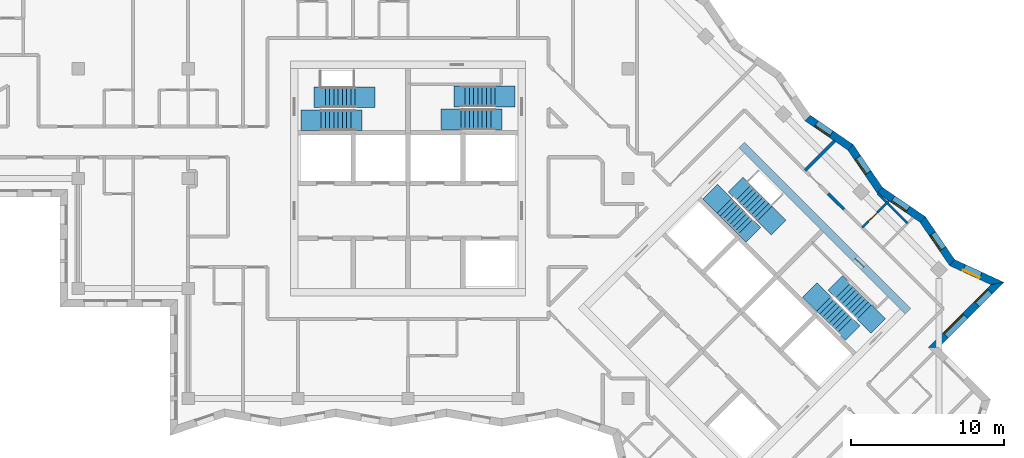
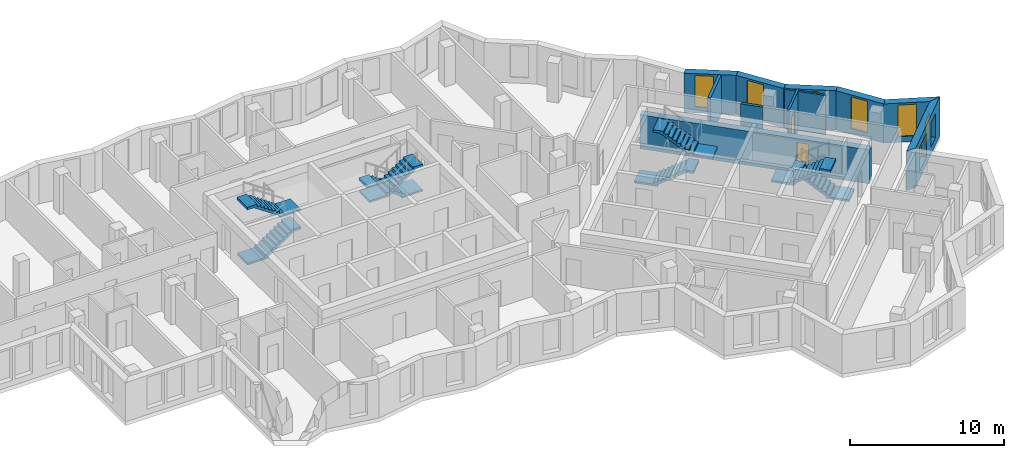
# One storey, part 9 of 12: 11 walls, 8 stair flights, 7 windows, 2 doors, 9 openings, 4 elements without a shape of their own.
"""IFC4 building model written with IfcOpenShell, lengths in metres."""

from ifc_helpers import new_model, si_unit, direction, frame, frame_2d, origin, place, context, subcontext, project, spatial, polyline, rectangle, outline, extrude, material, layer, layer_set, type_object, element, fill, aggregate, save


model = new_model("IFC4")

# Units and contexts
model_context = context("Model", 3, precision=1e-05, world=origin(), true_north=direction((0.0, 1.0)))
body_context = subcontext(model_context, "Body", "Model", "MODEL_VIEW")
ifc_project = project(units=[si_unit("LENGTHUNIT", "METRE"), si_unit("AREAUNIT", "SQUARE_METRE"), si_unit("VOLUMEUNIT", "CUBIC_METRE"), si_unit("PLANEANGLEUNIT", "RADIAN"), si_unit("MASSUNIT", "GRAM", prefix="KILO")], contexts=[model_context])

# Site, building, storey
site_placement = place(None, origin())
site = spatial("IfcSite", under=ifc_project, at=site_placement, CompositionType="ELEMENT")
building_placement = place(site_placement, origin())
building = spatial("IfcBuilding", under=site, at=building_placement, Name="Windrow Commons", CompositionType="ELEMENT")
storey_placement = place(building_placement, frame((0.0, 0.0, 227.0)))
storey = spatial("IfcBuildingStorey", under=building, at=storey_placement, Name="L62", CompositionType="ELEMENT", Elevation=227.0)

# Wall, openings, windows
ifc_material_1 = material(Name="Brick masonry, red clay brick", Category="masonry")
ifc_layer_1 = layer(ifc_material_1, 0.5)
ifc_layer_set_1 = layer_set([ifc_layer_1], Name="Brick facade wall 500")
wall_type_1 = type_object("IfcWallType", Name="Brick facade wall 500", PredefinedType="SOLIDWALL", material=ifc_layer_set_1)
wall_1_placement = place(storey_placement, frame((99.2111, 46.5442, 0.0), z_axis=(0.0, 0.0, 1.0), x_axis=(0.7071067812, 0.7071067812, 0.0)))
wall_1 = element("IfcWall", 1, at=wall_1_placement, inside=storey, type_object=wall_type_1, Name="Brick facade wall L62 6", PredefinedType="SOLIDWALL", context=body_context, shape_type="SweptSolid", body=[
    extrude(outline(polyline([(0.25, -0.25), (6.28, -0.25), (5.5631, 0.25), (-0.25, 0.25), (0.25, -0.25)])), origin(), (0.0, 0.0, 1.0), 3.1),
])
opening_1_placement = place(wall_1_placement, frame((1.125, 0.0, 0.6)))
opening_1 = element("IfcOpeningElement", 2, at=opening_1_placement, cuts=wall_1, Name="Opening W1L", PredefinedType="OPENING", context=body_context, shape_type="SweptSolid", body=[
    extrude(rectangle(XDim=1.8, YDim=1.9, at=frame_2d((0.9, 0.95))), frame((0.0, 0.26, 0.0), z_axis=(0.0, -1.0, 0.0), x_axis=(1.0, 0.0, 0.0)), (0.0, 0.0, 1.0), 0.52),
])
opening_2_placement = place(wall_1_placement, frame((4.0065, 0.0, 0.6)))
opening_2 = element("IfcOpeningElement", 3, at=opening_2_placement, cuts=wall_1, Name="Opening W7G", PredefinedType="OPENING", context=body_context, shape_type="SweptSolid", body=[
    extrude(rectangle(XDim=1.2, YDim=1.9, at=frame_2d((0.6, 0.95))), frame((0.0, 0.26, 0.0), z_axis=(0.0, -1.0, 0.0), x_axis=(1.0, 0.0, 0.0)), (0.0, 0.0, 1.0), 0.52),
])
ifc_material_2 = material(Name="Clear float glass in anodised aluminium frame", Category="aluminium")
window_type_1 = type_object("IfcWindowType", Name="Window W1L bedroom 1800x1900", PartitioningType="SINGLE_PANEL", PredefinedType="WINDOW", material=ifc_material_2)
window_1_placement = place(opening_1_placement, origin())
window_1 = element("IfcWindow", 4, at=window_1_placement, inside=storey, type_object=window_type_1, Name="Window L62 6.1", OverallHeight=1.9, OverallWidth=1.8, PartitioningType="SINGLE_PANEL", PredefinedType="WINDOW", context=body_context, shape_type="SweptSolid", body=[
    extrude(rectangle(XDim=1.8, YDim=1.9, at=frame_2d((0.9, 0.95))), frame((0.0, 0.18, 0.0), z_axis=(0.0, -1.0, 0.0), x_axis=(1.0, 0.0, 0.0)), (0.0, 0.0, 1.0), 0.06),
])
fill(opening_1, window_1)
ifc_material_3 = material(Name="Clear float glass in anodised aluminium frame", Category="aluminium")
window_type_2 = type_object("IfcWindowType", Name="Window W7 notch 1200x1900", PartitioningType="SINGLE_PANEL", PredefinedType="WINDOW", material=ifc_material_3)
window_2_placement = place(opening_2_placement, origin())
window_2 = element("IfcWindow", 5, at=window_2_placement, inside=storey, type_object=window_type_2, Name="Window L62 6.2", OverallHeight=1.9, OverallWidth=1.2, PartitioningType="SINGLE_PANEL", PredefinedType="WINDOW", context=body_context, shape_type="SweptSolid", body=[
    extrude(rectangle(XDim=1.2, YDim=1.9, at=frame_2d((0.6, 0.95))), frame((0.0, 0.18, 0.0), z_axis=(0.0, -1.0, 0.0), x_axis=(1.0, 0.0, 0.0)), (0.0, 0.0, 1.0), 0.06),
])
fill(opening_2, window_2)

# Wall, opening, window
wall_2_placement = place(storey_placement, frame((103.3983, 50.7314, 0.0), z_axis=(0.0, 0.0, 1.0), x_axis=(-0.9078591394, 0.4192753069, 0.0)))
wall_2 = element("IfcWall", 6, at=wall_2_placement, inside=storey, type_object=wall_type_1, Name="Brick facade wall L62 7", PredefinedType="SOLIDWALL", context=body_context, shape_type="SweptSolid", body=[
    extrude(outline(polyline([(-0.3584, -0.25), (3.2019, -0.25), (3.34, 0.25), (0.3584, 0.25), (-0.3584, -0.25)])), origin(), (0.0, 0.0, 1.0), 3.1),
])
opening_3_placement = place(wall_2_placement, frame((1.2147, 0.0, 0.45)))
opening_3 = element("IfcOpeningElement", 7, at=opening_3_placement, cuts=wall_2, Name="Opening W7E", PredefinedType="OPENING", context=body_context, shape_type="SweptSolid", body=[
    extrude(rectangle(XDim=1.2, YDim=2.5, at=frame_2d((0.6, 1.25))), frame((0.0, 0.26, 0.0), z_axis=(0.0, -1.0, 0.0), x_axis=(1.0, 0.0, 0.0)), (0.0, 0.0, 1.0), 0.52),
])
ifc_material_4 = material(Name="Clear float glass in anodised aluminium frame", Category="aluminium")
window_type_3 = type_object("IfcWindowType", Name="Window W7 notch 1200x2500", PartitioningType="SINGLE_PANEL", PredefinedType="WINDOW", material=ifc_material_4)
window_3_placement = place(opening_3_placement, origin())
window_3 = element("IfcWindow", 8, at=window_3_placement, inside=storey, type_object=window_type_3, Name="Window L62 7.1", OverallHeight=2.5, OverallWidth=1.2, PartitioningType="SINGLE_PANEL", PredefinedType="WINDOW", context=body_context, shape_type="SweptSolid", body=[
    extrude(rectangle(XDim=1.2, YDim=2.5, at=frame_2d((0.6, 1.25))), frame((0.0, 0.18, 0.0), z_axis=(0.0, -1.0, 0.0), x_axis=(1.0, 0.0, 0.0)), (0.0, 0.0, 1.0), 0.06),
])
fill(opening_3, window_3)

wall_3_placement = place(storey_placement, frame((100.4288, 52.1028, 0.0), z_axis=(0.0, 0.0, 1.0), x_axis=(-0.563838178, 0.8258852881, 0.0)))
wall_3 = element("IfcWall", 9, at=wall_3_placement, inside=storey, type_object=wall_type_1, Name="Brick facade wall L62 8", PredefinedType="SOLIDWALL", context=body_context, shape_type="SweptSolid", body=[
    extrude(outline(polyline([(0.0691, -0.25), (3.469, -0.25), (3.3747, 0.25), (-0.0691, 0.25), (0.0691, -0.25)])), origin(), (0.0, 0.0, 1.0), 3.1),
])
opening_4_placement = place(wall_3_placement, frame((1.0874, 0.0, 0.45)))
opening_4 = element("IfcOpeningElement", 10, at=opening_4_placement, cuts=wall_3, Name="Opening W7E", PredefinedType="OPENING", context=body_context, shape_type="SweptSolid", body=[
    extrude(rectangle(XDim=1.2, YDim=2.5, at=frame_2d((0.6, 1.25))), frame((0.0, 0.26, 0.0), z_axis=(0.0, -1.0, 0.0), x_axis=(1.0, 0.0, 0.0)), (0.0, 0.0, 1.0), 0.52),
])
window_4_placement = place(opening_4_placement, origin())
window_4 = element("IfcWindow", 11, at=window_4_placement, inside=storey, type_object=window_type_3, Name="Window L62 8.1", OverallHeight=2.5, OverallWidth=1.2, PartitioningType="SINGLE_PANEL", PredefinedType="WINDOW", context=body_context, shape_type="SweptSolid", body=[
    extrude(rectangle(XDim=1.2, YDim=2.5, at=frame_2d((0.6, 1.25))), frame((0.0, 0.18, 0.0), z_axis=(0.0, -1.0, 0.0), x_axis=(1.0, 0.0, 0.0)), (0.0, 0.0, 1.0), 0.06),
])
fill(opening_4, window_4)

wall_4_placement = place(storey_placement, frame((98.4994, 54.9289, 0.0), z_axis=(0.0, 0.0, 1.0), x_axis=(-0.8258911763, 0.5638295531, 0.0)))
wall_4 = element("IfcWall", 12, at=wall_4_placement, inside=storey, type_object=wall_type_1, Name="Brick facade wall L62 9", PredefinedType="SOLIDWALL", context=body_context, shape_type="SweptSolid", body=[
    extrude(outline(polyline([(-0.0471, -0.25), (3.3528, -0.25), (3.4471, 0.25), (0.0471, 0.25), (-0.0471, -0.25)])), origin(), (0.0, 0.0, 1.0), 3.1),
])
opening_5_placement = place(wall_4_placement, frame((1.1635, 0.0, 0.45)))
opening_5 = element("IfcOpeningElement", 13, at=opening_5_placement, cuts=wall_4, Name="Opening W7E", PredefinedType="OPENING", context=body_context, shape_type="SweptSolid", body=[
    extrude(rectangle(XDim=1.2, YDim=2.5, at=frame_2d((0.6, 1.25))), frame((0.0, 0.26, 0.0), z_axis=(0.0, -1.0, 0.0), x_axis=(1.0, 0.0, 0.0)), (0.0, 0.0, 1.0), 0.52),
])
window_5_placement = place(opening_5_placement, origin())
window_5 = element("IfcWindow", 14, at=window_5_placement, inside=storey, type_object=window_type_3, Name="Window L62 9.1", OverallHeight=2.5, OverallWidth=1.2, PartitioningType="SINGLE_PANEL", PredefinedType="WINDOW", context=body_context, shape_type="SweptSolid", body=[
    extrude(rectangle(XDim=1.2, YDim=2.5, at=frame_2d((0.6, 1.25))), frame((0.0, 0.18, 0.0), z_axis=(0.0, -1.0, 0.0), x_axis=(1.0, 0.0, 0.0)), (0.0, 0.0, 1.0), 0.06),
])
fill(opening_5, window_5)

wall_5_placement = place(storey_placement, frame((95.6914, 56.8459, 0.0), z_axis=(0.0, 0.0, 1.0), x_axis=(-0.5638295531, 0.8258911763, 0.0)))
wall_5 = element("IfcWall", 15, at=wall_5_placement, inside=storey, type_object=wall_type_1, Name="Brick facade wall L62 10", PredefinedType="SOLIDWALL", context=body_context, shape_type="SweptSolid", body=[
    extrude(outline(polyline([(0.0471, -0.25), (3.4471, -0.25), (3.3528, 0.25), (-0.0471, 0.25), (0.0471, -0.25)])), origin(), (0.0, 0.0, 1.0), 3.1),
])
opening_6_placement = place(wall_5_placement, frame((1.3716, 0.0, 0.45)))
opening_6 = element("IfcOpeningElement", 16, at=opening_6_placement, cuts=wall_5, Name="Opening W7E", PredefinedType="OPENING", context=body_context, shape_type="SweptSolid", body=[
    extrude(rectangle(XDim=1.2, YDim=2.5, at=frame_2d((0.6, 1.25))), frame((0.0, 0.26, 0.0), z_axis=(0.0, -1.0, 0.0), x_axis=(1.0, 0.0, 0.0)), (0.0, 0.0, 1.0), 0.52),
])
window_6_placement = place(opening_6_placement, origin())
window_6 = element("IfcWindow", 17, at=window_6_placement, inside=storey, type_object=window_type_3, Name="Window L62 10.1", OverallHeight=2.5, OverallWidth=1.2, PartitioningType="SINGLE_PANEL", PredefinedType="WINDOW", context=body_context, shape_type="SweptSolid", body=[
    extrude(rectangle(XDim=1.2, YDim=2.5, at=frame_2d((0.6, 1.25))), frame((0.0, 0.18, 0.0), z_axis=(0.0, -1.0, 0.0), x_axis=(1.0, 0.0, 0.0)), (0.0, 0.0, 1.0), 0.06),
])
fill(opening_6, window_6)

wall_6_placement = place(storey_placement, frame((93.7744, 59.6539, 0.0), z_axis=(0.0, 0.0, 1.0), x_axis=(-0.8258911763, 0.5638295531, 0.0)))
wall_6 = element("IfcWall", 18, at=wall_6_placement, inside=storey, type_object=wall_type_1, Name="Brick facade wall L62 11", PredefinedType="SOLIDWALL", context=body_context, shape_type="SweptSolid", body=[
    extrude(outline(polyline([(-0.0471, -0.25), (3.3528, -0.25), (3.4471, 0.25), (0.0471, 0.25), (-0.0471, -0.25)])), origin(), (0.0, 0.0, 1.0), 3.1),
])
opening_7_placement = place(wall_6_placement, frame((1.5269, 0.0, 0.45)))
opening_7 = element("IfcOpeningElement", 19, at=opening_7_placement, cuts=wall_6, Name="Opening W7E", PredefinedType="OPENING", context=body_context, shape_type="SweptSolid", body=[
    extrude(rectangle(XDim=1.2, YDim=2.5, at=frame_2d((0.6, 1.25))), frame((0.0, 0.26, 0.0), z_axis=(0.0, -1.0, 0.0), x_axis=(1.0, 0.0, 0.0)), (0.0, 0.0, 1.0), 0.52),
])
window_7_placement = place(opening_7_placement, origin())
window_7 = element("IfcWindow", 20, at=window_7_placement, inside=storey, type_object=window_type_3, Name="Window L62 11.1", OverallHeight=2.5, OverallWidth=1.2, PartitioningType="SINGLE_PANEL", PredefinedType="WINDOW", context=body_context, shape_type="SweptSolid", body=[
    extrude(rectangle(XDim=1.2, YDim=2.5, at=frame_2d((0.6, 1.25))), frame((0.0, 0.18, 0.0), z_axis=(0.0, -1.0, 0.0), x_axis=(1.0, 0.0, 0.0)), (0.0, 0.0, 1.0), 0.06),
])
fill(opening_7, window_7)

# Walls
ifc_material_5 = material(Name="Blockwork partition", Category="masonry")
ifc_layer_2 = layer(ifc_material_5, 0.2)
ifc_layer_set_2 = layer_set([ifc_layer_2], Name="IW-CORRIDOR-200")
wall_type_2 = type_object("IfcWallType", Name="IW-CORRIDOR-200", PredefinedType="PARTITIONING", material=ifc_layer_set_2)
wall_7_placement = place(storey_placement, frame((92.3106, 56.6266, 0.0), z_axis=(0.0, 0.0, 1.0), x_axis=(0.7077922938, -0.7064206033, 0.0)))
element("IfcWall", 21, at=wall_7_placement, inside=storey, type_object=wall_type_2, Name="W-L62-W114", PredefinedType="PARTITIONING", context=body_context, shape_type="SweptSolid", body=[
    extrude(rectangle(XDim=1.4581, YDim=0.2, at=frame_2d((0.729, 0.0))), origin(), (0.0, 0.0, 1.0), 3.1),
])
ifc_material_6 = material(Name="Blockwork partition", Category="masonry")
ifc_layer_3 = layer(ifc_material_6, 0.15)
ifc_layer_set_3 = layer_set([ifc_layer_3], Name="IW-ENSUITE-150")
wall_type_3 = type_object("IfcWallType", Name="IW-ENSUITE-150", PredefinedType="PARTITIONING", material=ifc_layer_set_3)
wall_8_placement = place(storey_placement, frame((95.5658, 56.6178, 0.0), z_axis=(0.0, 0.0, 1.0), x_axis=(0.7071067812, -0.7071067812, 0.0)))
element("IfcWall", 22, at=wall_8_placement, inside=storey, type_object=wall_type_3, Name="W-L62-W051", PredefinedType="PARTITIONING", context=body_context, shape_type="SweptSolid", body=[
    extrude(rectangle(XDim=2.7506, YDim=0.15, at=frame_2d((1.3753, 0.0))), origin(), (0.0, 0.0, 1.0), 3.1),
])

# Wall, opening, door
wall_9_placement = place(storey_placement, frame((94.5438, 54.3942, 0.0), z_axis=(0.0, 0.0, 1.0), x_axis=(0.7071067812, 0.7071067812, 0.0)))
wall_9 = element("IfcWall", 23, at=wall_9_placement, inside=storey, type_object=wall_type_3, Name="W-L62-W063", PredefinedType="PARTITIONING", context=body_context, shape_type="SweptSolid", body=[
    extrude(rectangle(XDim=2.4645, YDim=0.15, at=frame_2d((1.2323, 0.0))), origin(), (0.0, 0.0, 1.0), 3.1),
])
opening_8_placement = place(wall_9_placement, frame((0.5941, 0.0, 0.0)))
opening_8 = element("IfcOpeningElement", 24, at=opening_8_placement, cuts=wall_9, Name="Opening D208N", PredefinedType="OPENING", context=body_context, shape_type="SweptSolid", body=[
    extrude(rectangle(XDim=0.8, YDim=2.1, at=frame_2d((0.4, 1.05))), frame((0.0, 0.085, 0.0), z_axis=(0.0, -1.0, 0.0), x_axis=(1.0, 0.0, 0.0)), (0.0, 0.0, 1.0), 0.17),
])
ifc_material_7 = material(Name="Timber door leaf", Category="wood")
door_type_1 = type_object("IfcDoorType", Name="DT-ENSUITE-800", OperationType="SINGLE_SWING_LEFT", PredefinedType="DOOR", material=ifc_material_7)
door_1_placement = place(opening_8_placement, origin())
door_1 = element("IfcDoor", 25, at=door_1_placement, inside=storey, type_object=door_type_1, Name="D-L62-D036", OperationType="SINGLE_SWING_RIGHT", OverallHeight=2.1, OverallWidth=0.8, PredefinedType="DOOR", context=body_context, shape_type="SweptSolid", body=[
    extrude(rectangle(XDim=0.8, YDim=2.1, at=frame_2d((0.4, 1.05))), frame((0.0, 0.025, 0.0), z_axis=(0.0, -1.0, 0.0), x_axis=(1.0, 0.0, 0.0)), (0.0, 0.0, 1.0), 0.05),
])
fill(opening_8, door_1)

# Wall
ifc_material_8 = material(Name="Blockwork partition", Category="masonry")
ifc_layer_4 = layer(ifc_material_8, 0.2)
ifc_layer_set_4 = layer_set([ifc_layer_4], Name="IW-PARTY-200")
wall_type_4 = type_object("IfcWallType", Name="IW-PARTY-200", PredefinedType="PARTITIONING", material=ifc_layer_set_4)
wall_10_placement = place(storey_placement, frame((90.7972, 58.1388, 0.0), z_axis=(0.0, 0.0, 1.0), x_axis=(0.7066482226, 0.7075650426, 0.0)))
element("IfcWall", 26, at=wall_10_placement, inside=storey, type_object=wall_type_4, Name="W-L62-W056", PredefinedType="PARTITIONING", context=body_context, shape_type="SweptSolid", body=[
    extrude(rectangle(XDim=2.7268, YDim=0.2, at=frame_2d((1.3634, 0.0))), origin(), (0.0, 0.0, 1.0), 3.1),
])

# Wall, opening, door
ifc_material_9 = material(Name="Concrete C40/50", Category="concrete")
ifc_layer_5 = layer(ifc_material_9, 0.5)
ifc_layer_set_5 = layer_set([ifc_layer_5], Name="RC CORE WALL 500 C40/50")
wall_type_5 = type_object("IfcWallType", Name="RC CORE WALL 500 C40/50", PredefinedType="SHEAR", material=ifc_layer_set_5)
wall_11_placement = place(storey_placement, frame((86.66, 59.8024, -0.3), z_axis=(0.0, 0.0, 1.0), x_axis=(0.7071067812, -0.7071067812, 0.0)))
wall_11 = element("IfcWall", 27, at=wall_11_placement, inside=storey, type_object=wall_type_5, Name="Core B wall outer-N", PredefinedType="SHEAR", context=body_context, shape_type="SweptSolid", body=[
    extrude(rectangle(XDim=15.3999, YDim=0.5, at=frame_2d((7.7, 0.0))), origin(), (0.0, 0.0, 1.0), 2.7),
])
opening_9_placement = place(wall_11_placement, frame((10.5, 0.0, 0.3)))
opening_9 = element("IfcOpeningElement", 28, at=opening_9_placement, cuts=wall_11, Name="Opening D9", PredefinedType="OPENING", context=body_context, shape_type="SweptSolid", body=[
    extrude(rectangle(XDim=0.8, YDim=2.1, at=frame_2d((0.4, 1.05))), frame((0.0, 0.26, 0.0), z_axis=(0.0, -1.0, 0.0), x_axis=(1.0, 0.0, 0.0)), (0.0, 0.0, 1.0), 0.52),
])
ifc_material_10 = material(Name="Steel fire door leaf", Category="steel")
door_type_2 = type_object("IfcDoorType", Name="Riser access door 800", OperationType="SINGLE_SWING_LEFT", PredefinedType="DOOR", material=ifc_material_10)
door_2_placement = place(opening_9_placement, origin())
door_2 = element("IfcDoor", 29, at=door_2_placement, inside=storey, type_object=door_type_2, Name="Riser access door", OperationType="SINGLE_SWING_RIGHT", OverallHeight=2.1, OverallWidth=0.8, PredefinedType="DOOR", context=body_context, shape_type="SweptSolid", body=[
    extrude(rectangle(XDim=0.8, YDim=2.1, at=frame_2d((0.4, 1.05))), frame((0.0, 0.025, 0.0), z_axis=(0.0, -1.0, 0.0), x_axis=(1.0, 0.0, 0.0)), (0.0, 0.0, 1.0), 0.05),
])
fill(opening_9, door_2)

# Stair, stair flights
ifc_material_11 = material(Name="Concrete C40/50", Category="concrete")
stair_type = type_object("IfcStairType", Name="Core stair", PredefinedType="HALF_TURN_STAIR", material=ifc_material_11)
placement = place(storey_placement, origin())
stair_1 = element("IfcStair", 30, at=placement, inside=storey, type_object=stair_type, Name="L62 Exit stair A1 core A", PredefinedType="HALF_TURN_STAIR")
ifc_material_12 = material(Name="Concrete C40/50", Category="concrete")
stair_flight_type = type_object("IfcStairFlightType", Name="Core stair flight", PredefinedType="STRAIGHT", material=ifc_material_12)
stair_flight_1_placement = place(storey_placement, frame((59.1, 61.425, 0.0), z_axis=(0.0, 0.0, 1.0), x_axis=(1.0, 0.0, 0.0)))
stair_flight_1 = element("IfcStairFlight", 31, at=stair_flight_1_placement, type_object=stair_flight_type, Name="ST-A1 flight 1", NumberOfRisers=9, NumberOfTreads=8, PredefinedType="STRAIGHT", RiserHeight=0.188888889, TreadLength=0.28, context=body_context, shape_type="SweptSolid", body=[
    extrude(outline(polyline([(-1.3, -0.15), (-1.3, 0.0), (0.0, 0.0), (0.0, 0.1889), (0.28, 0.1889), (0.28, 0.3778), (0.56, 0.3778), (0.56, 0.5667), (0.84, 0.5667), (0.84, 0.7556), (1.12, 0.7556), (1.12, 0.9444), (1.4, 0.9444), (1.4, 1.1333), (1.68, 1.1333), (1.68, 1.3222), (1.96, 1.3222), (1.96, 1.5111), (2.24, 1.5111), (2.69, 1.5111), (2.69, 1.3111), (2.24, 1.3111), (2.24, 1.3302), (0.2682, 0.0), (0.2682, -0.15), (-1.3, -0.15)])), frame((0.0, 0.675, 0.0), z_axis=(0.0, -1.0, 0.0), x_axis=(1.0, 0.0, 0.0)), (0.0, 0.0, 1.0), 1.35),
])
stair_flight_2_placement = place(storey_placement, frame((61.34, 62.925, 1.7), z_axis=(0.0, 0.0, 1.0), x_axis=(-1.0, 0.0, 0.0)))
stair_flight_2 = element("IfcStairFlight", 32, at=stair_flight_2_placement, type_object=stair_flight_type, Name="ST-A1 flight 2", NumberOfRisers=9, NumberOfTreads=8, PredefinedType="STRAIGHT", RiserHeight=0.188888889, TreadLength=0.28, context=body_context, shape_type="SweptSolid", body=[
    extrude(outline(polyline([(-1.3, -0.15), (-1.3, 0.0), (0.0, 0.0), (0.0, 0.1889), (0.28, 0.1889), (0.28, 0.3778), (0.56, 0.3778), (0.56, 0.5667), (0.84, 0.5667), (0.84, 0.7556), (1.12, 0.7556), (1.12, 0.9444), (1.4, 0.9444), (1.4, 1.1333), (1.68, 1.1333), (1.68, 1.3222), (1.96, 1.3222), (1.96, 1.5111), (2.24, 1.5111), (2.69, 1.5111), (2.69, 1.3111), (2.24, 1.3111), (2.24, 1.3302), (0.2682, 0.0), (0.2682, -0.15), (-1.3, -0.15)])), frame((0.0, 0.675, 0.0), z_axis=(0.0, -1.0, 0.0), x_axis=(1.0, 0.0, 0.0)), (0.0, 0.0, 1.0), 1.35),
])
aggregate(stair_1, [stair_flight_1, stair_flight_2])

stair_2 = element("IfcStair", 33, at=placement, inside=storey, type_object=stair_type, Name="L62 Exit stair A2 core A", PredefinedType="HALF_TURN_STAIR")
stair_flight_3_placement = place(storey_placement, frame((70.5, 62.98, 0.0), z_axis=(0.0, 0.0, 1.0), x_axis=(-1.0, 0.0, 0.0)))
stair_flight_3 = element("IfcStairFlight", 34, at=stair_flight_3_placement, type_object=stair_flight_type, Name="ST-A2 flight 1", NumberOfRisers=9, NumberOfTreads=8, PredefinedType="STRAIGHT", RiserHeight=0.188888889, TreadLength=0.28, context=body_context, shape_type="SweptSolid", body=[
    extrude(outline(polyline([(-1.3, -0.15), (-1.3, 0.0), (0.0, 0.0), (0.0, 0.1889), (0.28, 0.1889), (0.28, 0.3778), (0.56, 0.3778), (0.56, 0.5667), (0.84, 0.5667), (0.84, 0.7556), (1.12, 0.7556), (1.12, 0.9444), (1.4, 0.9444), (1.4, 1.1333), (1.68, 1.1333), (1.68, 1.3222), (1.96, 1.3222), (1.96, 1.5111), (2.24, 1.5111), (2.69, 1.5111), (2.69, 1.3111), (2.24, 1.3111), (2.24, 1.3302), (0.2682, 0.0), (0.2682, -0.15), (-1.3, -0.15)])), frame((0.0, 0.675, 0.0), z_axis=(0.0, -1.0, 0.0), x_axis=(1.0, 0.0, 0.0)), (0.0, 0.0, 1.0), 1.35),
])
stair_flight_4_placement = place(storey_placement, frame((68.26, 61.48, 1.7), z_axis=(0.0, 0.0, 1.0), x_axis=(1.0, 0.0, 0.0)))
stair_flight_4 = element("IfcStairFlight", 35, at=stair_flight_4_placement, type_object=stair_flight_type, Name="ST-A2 flight 2", NumberOfRisers=9, NumberOfTreads=8, PredefinedType="STRAIGHT", RiserHeight=0.188888889, TreadLength=0.28, context=body_context, shape_type="SweptSolid", body=[
    extrude(outline(polyline([(-1.3, -0.15), (-1.3, 0.0), (0.0, 0.0), (0.0, 0.1889), (0.28, 0.1889), (0.28, 0.3778), (0.56, 0.3778), (0.56, 0.5667), (0.84, 0.5667), (0.84, 0.7556), (1.12, 0.7556), (1.12, 0.9444), (1.4, 0.9444), (1.4, 1.1333), (1.68, 1.1333), (1.68, 1.3222), (1.96, 1.3222), (1.96, 1.5111), (2.24, 1.5111), (2.69, 1.5111), (2.69, 1.3111), (2.24, 1.3111), (2.24, 1.3302), (0.2682, 0.0), (0.2682, -0.15), (-1.3, -0.15)])), frame((0.0, 0.675, 0.0), z_axis=(0.0, -1.0, 0.0), x_axis=(1.0, 0.0, 0.0)), (0.0, 0.0, 1.0), 1.35),
])
aggregate(stair_2, [stair_flight_3, stair_flight_4])

stair_3 = element("IfcStair", 36, at=placement, inside=storey, type_object=stair_type, Name="L62 Exit stair B1 core B", PredefinedType="HALF_TURN_STAIR")
stair_flight_5_placement = place(storey_placement, frame((85.5109, 55.8249, 0.0), z_axis=(0.0, 0.0, 1.0), x_axis=(0.7071067812, -0.7071067812, 0.0)))
stair_flight_5 = element("IfcStairFlight", 37, at=stair_flight_5_placement, type_object=stair_flight_type, Name="ST-B1 flight 1", NumberOfRisers=9, NumberOfTreads=8, PredefinedType="STRAIGHT", RiserHeight=0.188888889, TreadLength=0.28, context=body_context, shape_type="SweptSolid", body=[
    extrude(outline(polyline([(-1.3, -0.15), (-1.3, 0.0), (0.0, 0.0), (0.0, 0.1889), (0.28, 0.1889), (0.28, 0.3778), (0.56, 0.3778), (0.56, 0.5667), (0.84, 0.5667), (0.84, 0.7556), (1.12, 0.7556), (1.12, 0.9444), (1.4, 0.9444), (1.4, 1.1333), (1.68, 1.1333), (1.68, 1.3222), (1.96, 1.3222), (1.96, 1.5111), (2.24, 1.5111), (2.69, 1.5111), (2.69, 1.3111), (2.24, 1.3111), (2.24, 1.3302), (0.2682, 0.0), (0.2682, -0.15), (-1.3, -0.15)])), frame((0.0, 0.675, 0.0), z_axis=(0.0, -1.0, 0.0), x_axis=(1.0, 0.0, 0.0)), (0.0, 0.0, 1.0), 1.35),
])
stair_flight_6_placement = place(storey_placement, frame((88.1555, 55.3017, 1.7), z_axis=(0.0, 0.0, 1.0), x_axis=(-0.7071067812, 0.7071067812, 0.0)))
stair_flight_6 = element("IfcStairFlight", 38, at=stair_flight_6_placement, type_object=stair_flight_type, Name="ST-B1 flight 2", NumberOfRisers=9, NumberOfTreads=8, PredefinedType="STRAIGHT", RiserHeight=0.188888889, TreadLength=0.28, context=body_context, shape_type="SweptSolid", body=[
    extrude(outline(polyline([(-1.3, -0.15), (-1.3, 0.0), (0.0, 0.0), (0.0, 0.1889), (0.28, 0.1889), (0.28, 0.3778), (0.56, 0.3778), (0.56, 0.5667), (0.84, 0.5667), (0.84, 0.7556), (1.12, 0.7556), (1.12, 0.9444), (1.4, 0.9444), (1.4, 1.1333), (1.68, 1.1333), (1.68, 1.3222), (1.96, 1.3222), (1.96, 1.5111), (2.24, 1.5111), (2.69, 1.5111), (2.69, 1.3111), (2.24, 1.3111), (2.24, 1.3302), (0.2682, 0.0), (0.2682, -0.15), (-1.3, -0.15)])), frame((0.0, 0.675, 0.0), z_axis=(0.0, -1.0, 0.0), x_axis=(1.0, 0.0, 0.0)), (0.0, 0.0, 1.0), 1.35),
])
aggregate(stair_3, [stair_flight_5, stair_flight_6])

stair_4 = element("IfcStair", 39, at=placement, inside=storey, type_object=stair_type, Name="L62 Exit stair B2 core B", PredefinedType="HALF_TURN_STAIR")
stair_flight_7_placement = place(storey_placement, frame((94.6715, 48.8635, 0.0), z_axis=(0.0, 0.0, 1.0), x_axis=(-0.7071067812, 0.7071067812, 0.0)))
stair_flight_7 = element("IfcStairFlight", 40, at=stair_flight_7_placement, type_object=stair_flight_type, Name="ST-B2 flight 1", NumberOfRisers=9, NumberOfTreads=8, PredefinedType="STRAIGHT", RiserHeight=0.188888889, TreadLength=0.28, context=body_context, shape_type="SweptSolid", body=[
    extrude(outline(polyline([(-1.3, -0.15), (-1.3, 0.0), (0.0, 0.0), (0.0, 0.1889), (0.28, 0.1889), (0.28, 0.3778), (0.56, 0.3778), (0.56, 0.5667), (0.84, 0.5667), (0.84, 0.7556), (1.12, 0.7556), (1.12, 0.9444), (1.4, 0.9444), (1.4, 1.1333), (1.68, 1.1333), (1.68, 1.3222), (1.96, 1.3222), (1.96, 1.5111), (2.24, 1.5111), (2.69, 1.5111), (2.69, 1.3111), (2.24, 1.3111), (2.24, 1.3302), (0.2682, 0.0), (0.2682, -0.15), (-1.3, -0.15)])), frame((0.0, 0.675, 0.0), z_axis=(0.0, -1.0, 0.0), x_axis=(1.0, 0.0, 0.0)), (0.0, 0.0, 1.0), 1.35),
])
stair_flight_8_placement = place(storey_placement, frame((92.0269, 49.3867, 1.7), z_axis=(0.0, 0.0, 1.0), x_axis=(0.7071067812, -0.7071067812, 0.0)))
stair_flight_8 = element("IfcStairFlight", 41, at=stair_flight_8_placement, type_object=stair_flight_type, Name="ST-B2 flight 2", NumberOfRisers=9, NumberOfTreads=8, PredefinedType="STRAIGHT", RiserHeight=0.188888889, TreadLength=0.28, context=body_context, shape_type="SweptSolid", body=[
    extrude(outline(polyline([(-1.3, -0.15), (-1.3, 0.0), (0.0, 0.0), (0.0, 0.1889), (0.28, 0.1889), (0.28, 0.3778), (0.56, 0.3778), (0.56, 0.5667), (0.84, 0.5667), (0.84, 0.7556), (1.12, 0.7556), (1.12, 0.9444), (1.4, 0.9444), (1.4, 1.1333), (1.68, 1.1333), (1.68, 1.3222), (1.96, 1.3222), (1.96, 1.5111), (2.24, 1.5111), (2.69, 1.5111), (2.69, 1.3111), (2.24, 1.3111), (2.24, 1.3302), (0.2682, 0.0), (0.2682, -0.15), (-1.3, -0.15)])), frame((0.0, 0.675, 0.0), z_axis=(0.0, -1.0, 0.0), x_axis=(1.0, 0.0, 0.0)), (0.0, 0.0, 1.0), 1.35),
])
aggregate(stair_4, [stair_flight_7, stair_flight_8])

save(model, "model.ifc")
